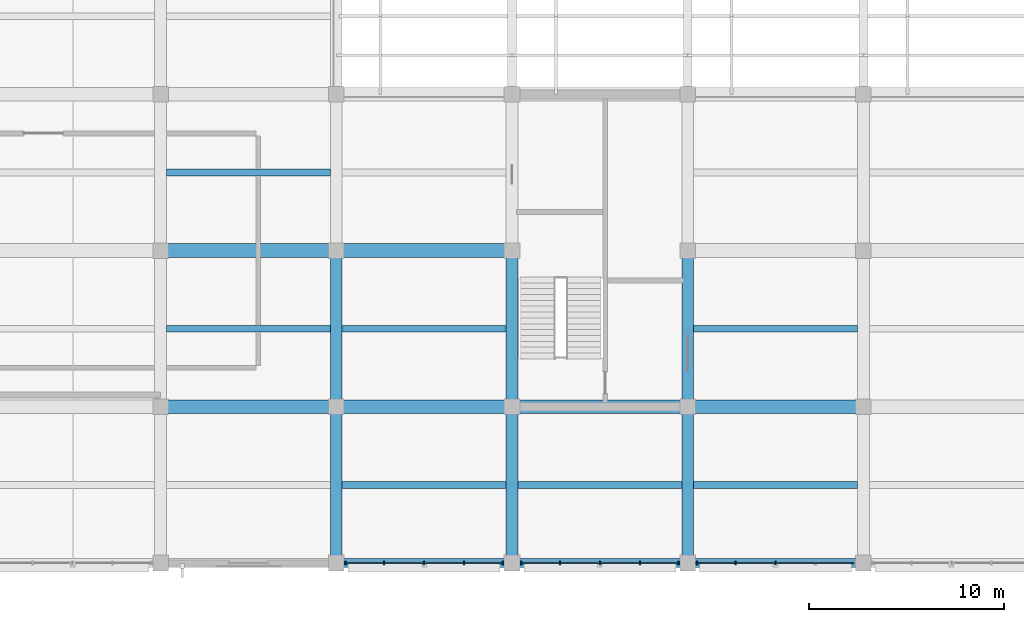
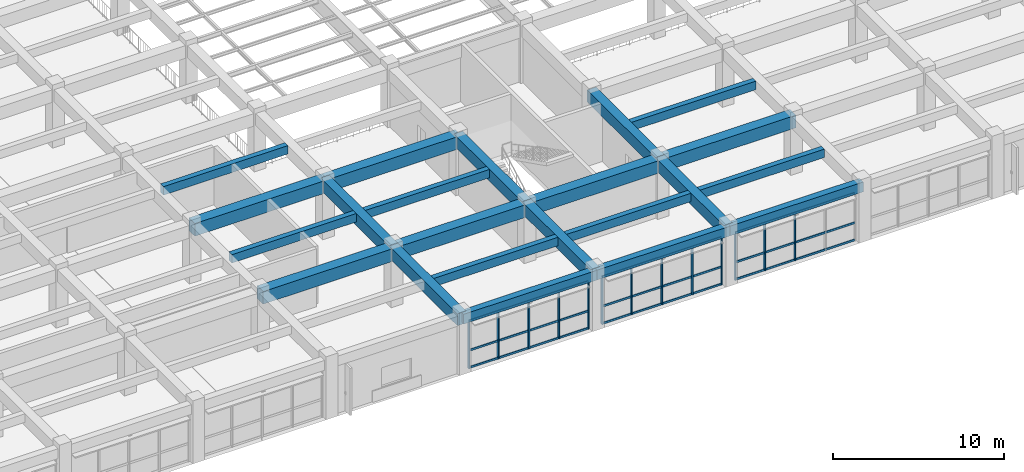
# One storey, part 9 of 50: 22 beams, 22 members, 3 elements without a shape of their own.
"""IFC4 building model written with IfcOpenShell, lengths in metres."""

from ifc_helpers import new_model, si_unit, direction, frame, origin, origin_2d, place, context, subcontext, project, spatial, rectangle, extrude, material, material_profile, profile_set, type_object, element, aggregate, save


model = new_model("IFC4")

# Units and contexts
model_context = context("Model", 3, precision=1e-05, world=origin(), true_north=direction((0.0, 1.0)))
body_context = subcontext(model_context, "Body", "Model", "MODEL_VIEW")
ifc_project = project(units=[si_unit("LENGTHUNIT", "METRE"), si_unit("AREAUNIT", "SQUARE_METRE"), si_unit("VOLUMEUNIT", "CUBIC_METRE"), si_unit("PLANEANGLEUNIT", "RADIAN"), si_unit("MASSUNIT", "GRAM", prefix="KILO")], contexts=[model_context])

# Site, building, storey
site_placement = place(None, origin())
site = spatial("IfcSite", under=ifc_project, at=site_placement, CompositionType="ELEMENT")
building_placement = place(site_placement, origin())
building = spatial("IfcBuilding", under=site, at=building_placement, Name="Zaverband Oceanarium and Marine Research Institute", CompositionType="ELEMENT")
storey_placement = place(building_placement, frame((0.0, 0.0, 9.0)))
storey = spatial("IfcBuildingStorey", under=building, at=storey_placement, Name="L02", CompositionType="ELEMENT", Elevation=9.0)

# Beams
ifc_material_1 = material(Name="Concrete C40/50", Category="concrete")
ifc_material_profile_1 = material_profile(ifc_material_1, rectangle(XDim=0.60009765625, YDim=0.85009765625, at=origin_2d()), Name="RC600x850")
ifc_profile_set_1 = profile_set([ifc_material_profile_1], Name="Concrete C40/50")
beam_type_1 = type_object("IfcBeamType", Name="BM-600x850", PredefinedType="BEAM", material=ifc_profile_set_1)
for number, where, z_axis, x_axis, name in (
    (1, (72.0, 0.0, 3.715087890625), (0.0, 1.0, 0.0), (-1.0, 0.0, 0.0), "Primary floor girder BM-600x850"),
    (2, (72.0, 8.0, 3.715087890625), (0.0, 1.0, 0.0), (-1.0, 0.0, 0.0), "Primary floor girder BM-600x850"),
    (3, (81.0, 0.0, 3.715087890625), (0.0, 1.0, 0.0), (-1.0, 0.0, 0.0), "Primary floor girder BM-600x850"),
    (4, (81.0, 8.0, 3.715087890625), (0.0, 1.0, 0.0), (-1.0, 0.0, 0.0), "Primary floor girder BM-600x850"),
    (5, (90.0, 0.0, 3.715087890625), (0.0, 1.0, 0.0), (-1.0, 0.0, 0.0), "Primary floor girder BM-600x850"),
    (6, (90.0, 8.0, 3.715087890625), (0.0, 1.0, 0.0), (-1.0, 0.0, 0.0), "Primary floor girder BM-600x850"),
):
    element("IfcBeam", number, at=place(storey_placement, frame(where, z_axis=z_axis, x_axis=x_axis)), inside=storey, type_object=beam_type_1, Name=name, PredefinedType="BEAM", context=body_context, shape_type="SweptSolid", body=[
        extrude(rectangle(XDim=0.60009765625, YDim=0.85009765625, at=origin_2d()), origin(), (0.0, 0.0, 1.0), 8.0),
    ])
ifc_material_profile_2 = material_profile(ifc_material_1, rectangle(XDim=0.699951171875, YDim=0.89990234375, at=origin_2d()), Name="RC700x900")
ifc_profile_set_2 = profile_set([ifc_material_profile_2], Name="Concrete C40/50")
beam_type_2 = type_object("IfcBeamType", Name="BM-700x900", PredefinedType="BEAM", material=ifc_profile_set_2)
for number, where, z_axis, x_axis, name in (
    (7, (63.0, 8.0, 3.68994140625), (1.0, 0.0, 0.0), (0.0, 1.0, 0.0), "Primary floor girder BM-700x900"),
    (8, (72.0, 8.0, 3.68994140625), (1.0, 0.0, 0.0), (0.0, 1.0, 0.0), "Primary floor girder BM-700x900"),
    (9, (81.0, 8.0, 3.68994140625), (1.0, 0.0, 0.0), (0.0, 1.0, 0.0), "Primary floor girder BM-700x900"),
    (10, (90.0, 8.0, 3.68994140625), (1.0, 0.0, 0.0), (0.0, 1.0, 0.0), "Primary floor girder BM-700x900"),
    (11, (63.0, 16.0, 3.68994140625), (1.0, 0.0, 0.0), (0.0, 1.0, 0.0), "Primary floor girder BM-700x900"),
    (12, (72.0, 16.0, 3.68994140625), (1.0, 0.0, 0.0), (0.0, 1.0, 0.0), "Primary floor girder BM-700x900"),
):
    element("IfcBeam", number, at=place(storey_placement, frame(where, z_axis=z_axis, x_axis=x_axis)), inside=storey, type_object=beam_type_2, Name=name, PredefinedType="BEAM", context=body_context, shape_type="SweptSolid", body=[
        extrude(rectangle(XDim=0.699951171875, YDim=0.89990234375, at=origin_2d()), origin(), (0.0, 0.0, 1.0), 9.0),
    ])
ifc_material_profile_3 = material_profile(ifc_material_1, rectangle(XDim=0.35009765625, YDim=0.60009765625, at=origin_2d()), Name="RC350x600")
ifc_profile_set_3 = profile_set([ifc_material_profile_3], Name="Concrete C40/50")
beam_type_3 = type_object("IfcBeamType", Name="JST-350x600", PredefinedType="JOIST", material=ifc_profile_set_3)
for number, where, z_axis, x_axis, name in (
    (13, (63.300048828125, 12.0, 3.840087890625), (1.0, 0.0, 0.0), (0.0, 1.0, 0.0), "Secondary floor joist JST-350x600"),
    (14, (63.300048828125, 20.0, 3.840087890625), (1.0, 0.0, 0.0), (0.0, 1.0, 0.0), "Secondary floor joist JST-350x600"),
    (15, (72.300048828125, 4.0, 3.840087890625), (1.0, 0.0, 0.0), (0.0, 1.0, 0.0), "Secondary floor joist JST-350x600"),
    (16, (72.300048828125, 12.0, 3.840087890625), (1.0, 0.0, 0.0), (0.0, 1.0, 0.0), "Secondary floor joist JST-350x600"),
    (17, (81.300048828125, 4.0, 3.840087890625), (1.0, 0.0, 0.0), (0.0, 1.0, 0.0), "Secondary floor joist JST-350x600"),
    (18, (90.300048828125, 4.0, 3.840087890625), (1.0, 0.0, 0.0), (0.0, 1.0, 0.0), "Secondary floor joist JST-350x600"),
    (19, (90.300048828125, 12.0, 3.840087890625), (1.0, 0.0, 0.0), (0.0, 1.0, 0.0), "Secondary floor joist JST-350x600"),
):
    element("IfcBeam", number, at=place(storey_placement, frame(where, z_axis=z_axis, x_axis=x_axis)), inside=storey, type_object=beam_type_3, Name=name, PredefinedType="JOIST", context=body_context, shape_type="SweptSolid", body=[
        extrude(rectangle(XDim=0.35009765625, YDim=0.60009765625, at=origin_2d()), origin(), (0.0, 0.0, 1.0), 8.39990234375),
    ])

# Curtain wall, members
ifc_material_2 = material(Name="Thermally broken anodized aluminium and solar-control glass", Category="aluminium")
curtain_wall_type = type_object("IfcCurtainWallType", Name="CW-UNIT-1800", PredefinedType="NOTDEFINED", material=ifc_material_2)
curtain_wall_1_placement = place(storey_placement, origin())
curtain_wall_1 = element("IfcCurtainWall", 20, at=curtain_wall_1_placement, inside=storey, type_object=curtain_wall_type, Name="Unitised glazed curtain wall CW-040", PredefinedType="NOTDEFINED")
ifc_material_3 = material(Name="Thermally broken anodized aluminium", Category="aluminium")
ifc_material_profile_4 = material_profile(ifc_material_3, rectangle(XDim=0.080078125, YDim=0.179931640625, at=origin_2d()), Name="AL-MUL-80x180")
ifc_profile_set_4 = profile_set([ifc_material_profile_4], Name="Thermally broken anodized aluminium")
member_type_1 = type_object("IfcMemberType", Name="MUL-80x180", PredefinedType="MULLION", material=ifc_profile_set_4)
member_1_placement = place(storey_placement, frame((72.465087890625, 0.0, 0.0), z_axis=(0.0, 0.0, 1.0), x_axis=(1.0, 0.0, 0.0)))
member_1 = element("IfcMember", 21, at=member_1_placement, type_object=member_type_1, Name="Curtain wall vertical mullion MUL-80x180", PredefinedType="MULLION", context=body_context, shape_type="SweptSolid", body=[
    extrude(rectangle(XDim=0.080078125, YDim=0.179931640625, at=origin_2d()), origin(), (0.0, 0.0, 1.0), 3.419921875),
])
member_2_placement = place(storey_placement, frame((74.452392578125, 0.0, 0.0), z_axis=(0.0, 0.0, 1.0), x_axis=(1.0, 0.0, 0.0)))
member_2 = element("IfcMember", 22, at=member_2_placement, type_object=member_type_1, Name="Curtain wall vertical mullion MUL-80x180", PredefinedType="MULLION", context=body_context, shape_type="SweptSolid", body=[
    extrude(rectangle(XDim=0.080078125, YDim=0.179931640625, at=origin_2d()), origin(), (0.0, 0.0, 1.0), 3.419921875),
])
member_3_placement = place(storey_placement, frame((76.5, 0.0, 0.0), z_axis=(0.0, 0.0, 1.0), x_axis=(1.0, 0.0, 0.0)))
member_3 = element("IfcMember", 23, at=member_3_placement, type_object=member_type_1, Name="Curtain wall vertical mullion MUL-80x180", PredefinedType="MULLION", context=body_context, shape_type="SweptSolid", body=[
    extrude(rectangle(XDim=0.080078125, YDim=0.179931640625, at=origin_2d()), origin(), (0.0, 0.0, 1.0), 3.419921875),
])
member_4_placement = place(storey_placement, frame((78.547607421875, 0.0, 0.0), z_axis=(0.0, 0.0, 1.0), x_axis=(1.0, 0.0, 0.0)))
member_4 = element("IfcMember", 24, at=member_4_placement, type_object=member_type_1, Name="Curtain wall vertical mullion MUL-80x180", PredefinedType="MULLION", context=body_context, shape_type="SweptSolid", body=[
    extrude(rectangle(XDim=0.080078125, YDim=0.179931640625, at=origin_2d()), origin(), (0.0, 0.0, 1.0), 3.419921875),
])
member_5_placement = place(storey_placement, frame((80.534912109375, 0.0, 0.0), z_axis=(0.0, 0.0, 1.0), x_axis=(1.0, 0.0, 0.0)))
member_5 = element("IfcMember", 25, at=member_5_placement, type_object=member_type_1, Name="Curtain wall vertical mullion MUL-80x180", PredefinedType="MULLION", context=body_context, shape_type="SweptSolid", body=[
    extrude(rectangle(XDim=0.080078125, YDim=0.179931640625, at=origin_2d()), origin(), (0.0, 0.0, 1.0), 3.419921875),
])

curtain_wall_2_placement = place(storey_placement, origin())
curtain_wall_2 = element("IfcCurtainWall", 26, at=curtain_wall_2_placement, inside=storey, type_object=curtain_wall_type, Name="Unitised glazed curtain wall CW-041", PredefinedType="NOTDEFINED")
member_6_placement = place(storey_placement, frame((81.465087890625, 0.0, 0.0), z_axis=(0.0, 0.0, 1.0), x_axis=(1.0, 0.0, 0.0)))
member_6 = element("IfcMember", 27, at=member_6_placement, type_object=member_type_1, Name="Curtain wall vertical mullion MUL-80x180", PredefinedType="MULLION", context=body_context, shape_type="SweptSolid", body=[
    extrude(rectangle(XDim=0.080078125, YDim=0.179931640625, at=origin_2d()), origin(), (0.0, 0.0, 1.0), 3.419921875),
])
member_7_placement = place(storey_placement, frame((83.452392578125, 0.0, 0.0), z_axis=(0.0, 0.0, 1.0), x_axis=(1.0, 0.0, 0.0)))
member_7 = element("IfcMember", 28, at=member_7_placement, type_object=member_type_1, Name="Curtain wall vertical mullion MUL-80x180", PredefinedType="MULLION", context=body_context, shape_type="SweptSolid", body=[
    extrude(rectangle(XDim=0.080078125, YDim=0.179931640625, at=origin_2d()), origin(), (0.0, 0.0, 1.0), 3.419921875),
])
member_8_placement = place(storey_placement, frame((85.5, 0.0, 0.0), z_axis=(0.0, 0.0, 1.0), x_axis=(1.0, 0.0, 0.0)))
member_8 = element("IfcMember", 29, at=member_8_placement, type_object=member_type_1, Name="Curtain wall vertical mullion MUL-80x180", PredefinedType="MULLION", context=body_context, shape_type="SweptSolid", body=[
    extrude(rectangle(XDim=0.080078125, YDim=0.179931640625, at=origin_2d()), origin(), (0.0, 0.0, 1.0), 3.419921875),
])
member_9_placement = place(storey_placement, frame((87.547607421875, 0.0, 0.0), z_axis=(0.0, 0.0, 1.0), x_axis=(1.0, 0.0, 0.0)))
member_9 = element("IfcMember", 30, at=member_9_placement, type_object=member_type_1, Name="Curtain wall vertical mullion MUL-80x180", PredefinedType="MULLION", context=body_context, shape_type="SweptSolid", body=[
    extrude(rectangle(XDim=0.080078125, YDim=0.179931640625, at=origin_2d()), origin(), (0.0, 0.0, 1.0), 3.419921875),
])
member_10_placement = place(storey_placement, frame((89.534912109375, 0.0, 0.0), z_axis=(0.0, 0.0, 1.0), x_axis=(1.0, 0.0, 0.0)))
member_10 = element("IfcMember", 31, at=member_10_placement, type_object=member_type_1, Name="Curtain wall vertical mullion MUL-80x180", PredefinedType="MULLION", context=body_context, shape_type="SweptSolid", body=[
    extrude(rectangle(XDim=0.080078125, YDim=0.179931640625, at=origin_2d()), origin(), (0.0, 0.0, 1.0), 3.419921875),
])

curtain_wall_3_placement = place(storey_placement, origin())
curtain_wall_3 = element("IfcCurtainWall", 32, at=curtain_wall_3_placement, inside=storey, type_object=curtain_wall_type, Name="Unitised glazed curtain wall CW-042", PredefinedType="NOTDEFINED")
member_11_placement = place(storey_placement, frame((90.465087890625, 0.0, 0.0), z_axis=(0.0, 0.0, 1.0), x_axis=(1.0, 0.0, 0.0)))
member_11 = element("IfcMember", 33, at=member_11_placement, type_object=member_type_1, Name="Curtain wall vertical mullion MUL-80x180", PredefinedType="MULLION", context=body_context, shape_type="SweptSolid", body=[
    extrude(rectangle(XDim=0.080078125, YDim=0.179931640625, at=origin_2d()), origin(), (0.0, 0.0, 1.0), 3.419921875),
])
member_12_placement = place(storey_placement, frame((92.452392578125, 0.0, 0.0), z_axis=(0.0, 0.0, 1.0), x_axis=(1.0, 0.0, 0.0)))
member_12 = element("IfcMember", 34, at=member_12_placement, type_object=member_type_1, Name="Curtain wall vertical mullion MUL-80x180", PredefinedType="MULLION", context=body_context, shape_type="SweptSolid", body=[
    extrude(rectangle(XDim=0.080078125, YDim=0.179931640625, at=origin_2d()), origin(), (0.0, 0.0, 1.0), 3.419921875),
])
member_13_placement = place(storey_placement, frame((94.5, 0.0, 0.0), z_axis=(0.0, 0.0, 1.0), x_axis=(1.0, 0.0, 0.0)))
member_13 = element("IfcMember", 35, at=member_13_placement, type_object=member_type_1, Name="Curtain wall vertical mullion MUL-80x180", PredefinedType="MULLION", context=body_context, shape_type="SweptSolid", body=[
    extrude(rectangle(XDim=0.080078125, YDim=0.179931640625, at=origin_2d()), origin(), (0.0, 0.0, 1.0), 3.419921875),
])

# Beams
ifc_material_profile_5 = material_profile(ifc_material_1, rectangle(XDim=0.449951171875, YDim=0.699951171875, at=origin_2d()), Name="RC450x700")
ifc_profile_set_5 = profile_set([ifc_material_profile_5], Name="Concrete C40/50")
beam_type_4 = type_object("IfcBeamType", Name="SPN-450x700", PredefinedType="SPANDREL", material=ifc_profile_set_5)
for number, where, z_axis, x_axis, name in (
    (36, (72.0, 0.0, 3.7900390625), (1.0, 0.0, 0.0), (0.0, 1.0, 0.0), "Perimeter spandrel beam SPN-450x700"),
    (37, (81.0, 0.0, 3.7900390625), (1.0, 0.0, 0.0), (0.0, 1.0, 0.0), "Perimeter spandrel beam SPN-450x700"),
    (38, (90.0, 0.0, 3.7900390625), (1.0, 0.0, 0.0), (0.0, 1.0, 0.0), "Perimeter spandrel beam SPN-450x700"),
):
    element("IfcBeam", number, at=place(storey_placement, frame(where, z_axis=z_axis, x_axis=x_axis)), inside=storey, type_object=beam_type_4, Name=name, PredefinedType="SPANDREL", context=body_context, shape_type="SweptSolid", body=[
        extrude(rectangle(XDim=0.449951171875, YDim=0.699951171875, at=origin_2d()), origin(), (0.0, 0.0, 1.0), 9.0),
    ])

# Member
ifc_material_profile_6 = material_profile(ifc_material_3, rectangle(XDim=0.080078125, YDim=0.139892578125, at=origin_2d()), Name="AL-TRN-80x140")
ifc_profile_set_6 = profile_set([ifc_material_profile_6], Name="Thermally broken anodized aluminium")
member_type_2 = type_object("IfcMemberType", Name="TRN-80x140", PredefinedType="USERDEFINED", material=ifc_profile_set_6)
member_14_placement = place(storey_placement, frame((72.465087890625, 0.0, 0.050048828125), z_axis=(1.0, 0.0, 0.0), x_axis=(0.0, 1.0, 0.0)))
member_14 = element("IfcMember", 39, at=member_14_placement, type_object=member_type_2, Name="Curtain wall horizontal transom TRN-80x140", ObjectType="TRANSOM", PredefinedType="USERDEFINED", context=body_context, shape_type="SweptSolid", body=[
    extrude(rectangle(XDim=0.080078125, YDim=0.139892578125, at=origin_2d()), origin(), (0.0, 0.0, 1.0), 8.06982421875),
])

member_15_placement = place(storey_placement, frame((72.465087890625, 0.0, 1.277099609375), z_axis=(1.0, 0.0, 0.0), x_axis=(0.0, 1.0, 0.0)))
member_15 = element("IfcMember", 40, at=member_15_placement, type_object=member_type_2, Name="Curtain wall horizontal transom TRN-80x140", ObjectType="TRANSOM", PredefinedType="USERDEFINED", context=body_context, shape_type="SweptSolid", body=[
    extrude(rectangle(XDim=0.080078125, YDim=0.139892578125, at=origin_2d()), origin(), (0.0, 0.0, 1.0), 8.06982421875),
])

member_16_placement = place(storey_placement, frame((72.465087890625, 0.0, 3.3701171875), z_axis=(1.0, 0.0, 0.0), x_axis=(0.0, 1.0, 0.0)))
member_16 = element("IfcMember", 41, at=member_16_placement, type_object=member_type_2, Name="Curtain wall horizontal transom TRN-80x140", ObjectType="TRANSOM", PredefinedType="USERDEFINED", context=body_context, shape_type="SweptSolid", body=[
    extrude(rectangle(XDim=0.080078125, YDim=0.139892578125, at=origin_2d()), origin(), (0.0, 0.0, 1.0), 8.06982421875),
])

aggregate(curtain_wall_1, [member_1, member_2, member_3, member_4, member_5, member_14, member_15, member_16])

member_17_placement = place(storey_placement, frame((81.465087890625, 0.0, 0.050048828125), z_axis=(1.0, 0.0, 0.0), x_axis=(0.0, 1.0, 0.0)))
member_17 = element("IfcMember", 42, at=member_17_placement, type_object=member_type_2, Name="Curtain wall horizontal transom TRN-80x140", ObjectType="TRANSOM", PredefinedType="USERDEFINED", context=body_context, shape_type="SweptSolid", body=[
    extrude(rectangle(XDim=0.080078125, YDim=0.139892578125, at=origin_2d()), origin(), (0.0, 0.0, 1.0), 8.06982421875),
])

member_18_placement = place(storey_placement, frame((81.465087890625, 0.0, 1.277099609375), z_axis=(1.0, 0.0, 0.0), x_axis=(0.0, 1.0, 0.0)))
member_18 = element("IfcMember", 43, at=member_18_placement, type_object=member_type_2, Name="Curtain wall horizontal transom TRN-80x140", ObjectType="TRANSOM", PredefinedType="USERDEFINED", context=body_context, shape_type="SweptSolid", body=[
    extrude(rectangle(XDim=0.080078125, YDim=0.139892578125, at=origin_2d()), origin(), (0.0, 0.0, 1.0), 8.06982421875),
])

member_19_placement = place(storey_placement, frame((81.465087890625, 0.0, 3.3701171875), z_axis=(1.0, 0.0, 0.0), x_axis=(0.0, 1.0, 0.0)))
member_19 = element("IfcMember", 44, at=member_19_placement, type_object=member_type_2, Name="Curtain wall horizontal transom TRN-80x140", ObjectType="TRANSOM", PredefinedType="USERDEFINED", context=body_context, shape_type="SweptSolid", body=[
    extrude(rectangle(XDim=0.080078125, YDim=0.139892578125, at=origin_2d()), origin(), (0.0, 0.0, 1.0), 8.06982421875),
])

aggregate(curtain_wall_2, [member_6, member_7, member_8, member_9, member_10, member_17, member_18, member_19])

member_20_placement = place(storey_placement, frame((90.465087890625, 0.0, 0.050048828125), z_axis=(1.0, 0.0, 0.0), x_axis=(0.0, 1.0, 0.0)))
member_20 = element("IfcMember", 45, at=member_20_placement, type_object=member_type_2, Name="Curtain wall horizontal transom TRN-80x140", ObjectType="TRANSOM", PredefinedType="USERDEFINED", context=body_context, shape_type="SweptSolid", body=[
    extrude(rectangle(XDim=0.080078125, YDim=0.139892578125, at=origin_2d()), origin(), (0.0, 0.0, 1.0), 8.06982421875),
])

member_21_placement = place(storey_placement, frame((90.465087890625, 0.0, 1.277099609375), z_axis=(1.0, 0.0, 0.0), x_axis=(0.0, 1.0, 0.0)))
member_21 = element("IfcMember", 46, at=member_21_placement, type_object=member_type_2, Name="Curtain wall horizontal transom TRN-80x140", ObjectType="TRANSOM", PredefinedType="USERDEFINED", context=body_context, shape_type="SweptSolid", body=[
    extrude(rectangle(XDim=0.080078125, YDim=0.139892578125, at=origin_2d()), origin(), (0.0, 0.0, 1.0), 8.06982421875),
])

member_22_placement = place(storey_placement, frame((90.465087890625, 0.0, 3.3701171875), z_axis=(1.0, 0.0, 0.0), x_axis=(0.0, 1.0, 0.0)))
member_22 = element("IfcMember", 47, at=member_22_placement, type_object=member_type_2, Name="Curtain wall horizontal transom TRN-80x140", ObjectType="TRANSOM", PredefinedType="USERDEFINED", context=body_context, shape_type="SweptSolid", body=[
    extrude(rectangle(XDim=0.080078125, YDim=0.139892578125, at=origin_2d()), origin(), (0.0, 0.0, 1.0), 8.06982421875),
])

aggregate(curtain_wall_3, [member_11, member_12, member_13, member_20, member_21, member_22])

save(model, "model.ifc")
